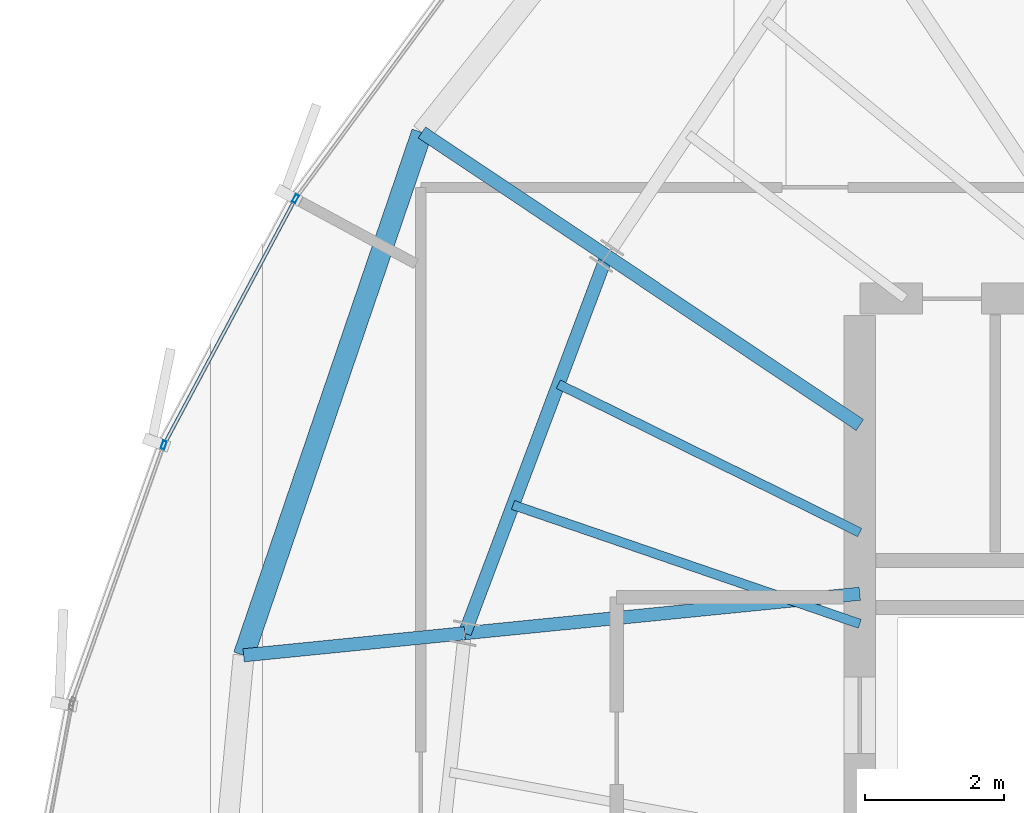
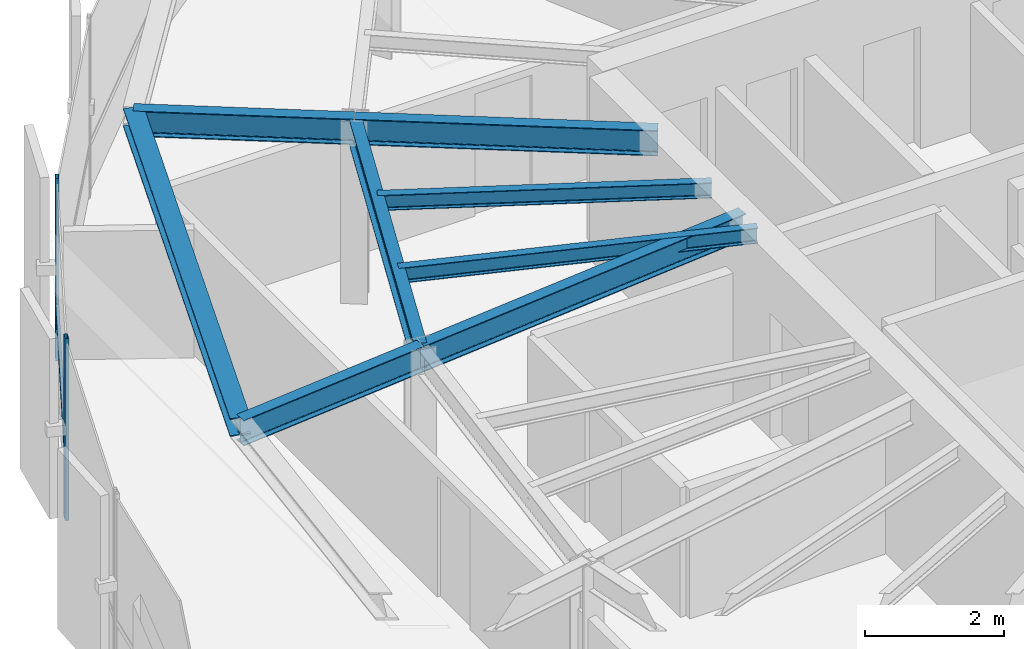
# One storey, part 11 of 33: 8 beams, 3 members, 1 element without a shape of its own.
"""IFC4 building model written with IfcOpenShell, lengths in metres."""

from ifc_helpers import new_model, si_unit, direction, frame, origin, origin_2d, place, context, subcontext, project, spatial, hollow_rectangle, i_section, extrude, source, transform, mapped, material, layer, layer_set, material_profile, profile_set, type_object, element, aggregate, save


model = new_model("IFC4")

# Units and contexts
model_context = context("Model", 3, precision=1e-05, world=origin(), true_north=direction((0.0, 1.0)))
body_context = subcontext(model_context, "Body", "Model", "MODEL_VIEW")
ifc_project = project(units=[si_unit("LENGTHUNIT", "METRE"), si_unit("AREAUNIT", "SQUARE_METRE"), si_unit("VOLUMEUNIT", "CUBIC_METRE"), si_unit("PLANEANGLEUNIT", "RADIAN"), si_unit("MASSUNIT", "GRAM", prefix="KILO"), si_unit("THERMODYNAMICTEMPERATUREUNIT", "KELVIN")], contexts=[model_context])

# Site, building, storey
site_placement = place(None, origin())
site = spatial("IfcSite", under=ifc_project, at=site_placement, CompositionType="ELEMENT")
building_placement = place(site_placement, origin())
building = spatial("IfcBuilding", under=site, at=building_placement, Name="Kethvar Cultural Tower", CompositionType="ELEMENT")
storey_placement = place(building_placement, frame((0.0, 0.0, 235.300048828125)))
storey = spatial("IfcBuildingStorey", under=building, at=storey_placement, Name="L61", CompositionType="ELEMENT", Elevation=235.300048828125)

# Beams
ifc_material_1 = material(Name="Steel S355J2", Category="steel")
ifc_material_profile_1 = material_profile(ifc_material_1, i_section(OverallWidth=0.18994140625, OverallDepth=0.449951171875, WebThickness=0.009521484375, FlangeThickness=0.0146484375, FilletRadius=0.02099609375, at=origin_2d()), Name="Steel S355J2 — IPE450")
ifc_profile_set_1 = profile_set([ifc_material_profile_1], Name="Steel S355J2 — IPE450")
beam_type_1 = type_object("IfcBeamType", Name="BM-IPE450", PredefinedType="BEAM", material=ifc_profile_set_1)
shared_shape_1 = source(origin(), body_context, "Body", "SweptSolid", [
    extrude(i_section(OverallWidth=0.18994140625, OverallDepth=0.449951171875, WebThickness=0.009521484375, FlangeThickness=0.0146484375, FilletRadius=0.02099609375, at=origin_2d()), origin(), (0.0, 0.0, 1.0), 3.2001953125),
])
beam_1_placement = place(storey_placement, frame((32.3125, 30.681884765625, 2.98291015625), z_axis=(-0.995047004836, -0.099405523829, 0.0), x_axis=(0.099405523829, -0.995047004836, 0.0)))
element("IfcBeam", 1, at=beam_1_placement, inside=storey, type_object=beam_type_1, Name="L61 Perimeter Cantilever Beam RC-08", PredefinedType="BEAM", context=body_context, shape_type="MappedRepresentation", body=[
    mapped(shared_shape_1, transform((0.0, 0.0, 0.0), scale=1.0)),
])
shared_shape_2 = source(origin(), body_context, "Body", "SweptSolid", [
    extrude(i_section(OverallWidth=0.18994140625, OverallDepth=0.449951171875, WebThickness=0.009521484375, FlangeThickness=0.0146484375, FilletRadius=0.02099609375, at=origin_2d()), origin(), (0.0, 0.0, 1.0), 4.3828125),
])
beam_2_placement = place(storey_placement, frame((38.0, 33.679931640625, 2.98291015625), z_axis=(-0.831449909861, 0.555599718676, 0.0), x_axis=(-0.555599718676, -0.831449909861, 0.0)))
element("IfcBeam", 2, at=beam_2_placement, inside=storey, type_object=beam_type_1, Name="L61 Primary Radial Beam RB-07", PredefinedType="BEAM", context=body_context, shape_type="MappedRepresentation", body=[
    mapped(shared_shape_2, transform((0.0, 0.0, 0.0), scale=1.0)),
])
shared_shape_3 = source(origin(), body_context, "Body", "SweptSolid", [
    extrude(i_section(OverallWidth=0.18994140625, OverallDepth=0.449951171875, WebThickness=0.009521484375, FlangeThickness=0.0146484375, FilletRadius=0.02099609375, at=origin_2d()), origin(), (0.0, 0.0, 1.0), 3.19970703125),
])
beam_3_placement = place(storey_placement, frame((34.35595703125, 36.114990234375, 2.98291015625), z_axis=(-0.831498187863, 0.55552746429, 0.0), x_axis=(-0.55552746429, -0.831498187863, 0.0)))
element("IfcBeam", 3, at=beam_3_placement, inside=storey, type_object=beam_type_1, Name="L61 Perimeter Cantilever Beam RC-07", PredefinedType="BEAM", context=body_context, shape_type="MappedRepresentation", body=[
    mapped(shared_shape_3, transform((0.0, 0.0, 0.0), scale=1.0)),
])
shared_shape_4 = source(origin(), body_context, "Body", "SweptSolid", [
    extrude(i_section(OverallWidth=0.18994140625, OverallDepth=0.449951171875, WebThickness=0.009521484375, FlangeThickness=0.0146484375, FilletRadius=0.02099609375, at=origin_2d()), origin(), (0.0, 0.0, 1.0), 5.7158203125),
])
beam_4_placement = place(storey_placement, frame((38.0, 31.25, 2.98291015625), z_axis=(-0.995048179628, -0.099393763478, 0.0), x_axis=(0.099393763478, -0.995048179628, 0.0)))
element("IfcBeam", 4, at=beam_4_placement, inside=storey, type_object=beam_type_1, Name="L61 Primary Radial Beam RB-08", PredefinedType="BEAM", context=body_context, shape_type="MappedRepresentation", body=[
    mapped(shared_shape_4, transform((0.0, 0.0, 0.0), scale=1.0)),
])
shared_shape_5 = source(origin(), body_context, "Body", "SweptSolid", [
    extrude(i_section(OverallWidth=0.18994140625, OverallDepth=0.449951171875, WebThickness=0.009521484375, FlangeThickness=0.0146484375, FilletRadius=0.02099609375, at=origin_2d()), origin(), (0.0, 0.0, 1.0), 5.8046875),
])
beam_5_placement = place(storey_placement, frame((34.35595703125, 36.114990234375, 2.98291015625), z_axis=(-0.352035902861, -0.935986497283, 0.0), x_axis=(0.935986497283, -0.352035902861, 0.0)))
element("IfcBeam", 5, at=beam_5_placement, inside=storey, type_object=beam_type_1, Name="L61 Column Ring Tie Beam CR-07", PredefinedType="BEAM", context=body_context, shape_type="MappedRepresentation", body=[
    mapped(shared_shape_5, transform((0.0, 0.0, 0.0), scale=1.0)),
])
ifc_material_profile_2 = material_profile(ifc_material_1, i_section(OverallWidth=0.300048828125, OverallDepth=0.320068359375, WebThickness=0.011474609375, FlangeThickness=0.0205078125, FilletRadius=0.027099609375, at=origin_2d()), Name="Steel S355J2 — HEB320")
ifc_profile_set_2 = profile_set([ifc_material_profile_2], Name="Steel S355J2 — HEB320")
beam_type_2 = type_object("IfcBeamType", Name="BM-SP320", PredefinedType="SPANDREL", material=ifc_profile_set_2)
shared_shape_6 = source(origin(), body_context, "Body", "SweptSolid", [
    extrude(i_section(OverallWidth=0.300048828125, OverallDepth=0.320068359375, WebThickness=0.011474609375, FlangeThickness=0.0205078125, FilletRadius=0.027099609375, at=origin_2d()), origin(), (0.0, 0.0, 1.0), 7.954345703125),
])
beam_6_placement = place(storey_placement, frame((31.6953125, 37.892578125, 3.0478515625), z_axis=(-0.322730170507, -0.946491012659, 0.0), x_axis=(0.946491012659, -0.322730170507, 0.0)))
element("IfcBeam", 6, at=beam_6_placement, inside=storey, type_object=beam_type_2, Name="L61 Perimeter Spandrel Beam SP-07", PredefinedType="SPANDREL", context=body_context, shape_type="MappedRepresentation", body=[
    mapped(shared_shape_6, transform((0.0, 0.0, 0.0), scale=1.0)),
])
ifc_material_profile_3 = material_profile(ifc_material_1, i_section(OverallWidth=0.135009765625, OverallDepth=0.27001953125, WebThickness=0.006591796875, FlangeThickness=0.01025390625, FilletRadius=0.014892578125, at=origin_2d()), Name="Steel S355J2 — IPE270")
ifc_profile_set_3 = profile_set([ifc_material_profile_3], Name="Steel S355J2 — IPE270")
beam_type_3 = type_object("IfcBeamType", Name="BM-J270", PredefinedType="JOIST", material=ifc_profile_set_3)
shared_shape_7 = source(origin(), body_context, "Body", "SweptSolid", [
    extrude(i_section(OverallWidth=0.135009765625, OverallDepth=0.27001953125, WebThickness=0.006591796875, FlangeThickness=0.01025390625, FilletRadius=0.014892578125, at=origin_2d()), origin(), (0.0, 0.0, 1.0), 4.8359375),
])
beam_7_placement = place(storey_placement, frame((38.0, 32.1318359375, 3.072998046875), z_axis=(-0.897196527088, 0.441631511308, 0.0), x_axis=(-0.441631511308, -0.897196527088, 0.0)))
element("IfcBeam", 7, at=beam_7_placement, inside=storey, type_object=beam_type_3, Name="L61 Composite Floor Joist J-07A", PredefinedType="JOIST", context=body_context, shape_type="MappedRepresentation", body=[
    mapped(shared_shape_7, transform((0.0, 0.0, 0.0), scale=1.0)),
])
shared_shape_8 = source(origin(), body_context, "Body", "SweptSolid", [
    extrude(i_section(OverallWidth=0.135009765625, OverallDepth=0.27001953125, WebThickness=0.006591796875, FlangeThickness=0.01025390625, FilletRadius=0.014892578125, at=origin_2d()), origin(), (0.0, 0.0, 1.0), 5.2783203125),
])
beam_8_placement = place(storey_placement, frame((38.0, 30.817138671875, 3.072998046875), z_axis=(-0.945942702368, 0.324333784607, 0.0), x_axis=(-0.324333784607, -0.945942702368, 0.0)))
element("IfcBeam", 8, at=beam_8_placement, inside=storey, type_object=beam_type_3, Name="L61 Composite Floor Joist J-07B", PredefinedType="JOIST", context=body_context, shape_type="MappedRepresentation", body=[
    mapped(shared_shape_8, transform((0.0, 0.0, 0.0), scale=1.0)),
])

# Curtain wall, members
ifc_material_2 = material(Name="Aluminium 6063-T6", Category="aluminium")
ifc_layer = layer(ifc_material_2, 0.179931640625, Name="Aluminium 6063-T6", Category="aluminium")
ifc_layer_set = layer_set([ifc_layer], Name="Aluminium 6063-T6 (180 mm)")
curtain_wall_type = type_object("IfcCurtainWallType", Name="CW-SYS-05-Z56", PredefinedType="NOTDEFINED", material=ifc_layer_set)
curtain_wall_placement = place(storey_placement, origin())
curtain_wall = element("IfcCurtainWall", 9, at=curtain_wall_placement, inside=storey, type_object=curtain_wall_type, Name="L61 Curtain Wall Run 02", PredefinedType="NOTDEFINED")
ifc_material_profile_4 = material_profile(ifc_material_2, hollow_rectangle(XDim=0.054931640625, YDim=0.1201171875, WallThickness=0.00390625, at=origin_2d()), Name="Aluminium 6063-T6 — RHS120x55x4")
ifc_profile_set_4 = profile_set([ifc_material_profile_4], Name="Aluminium 6063-T6 — RHS120x55x4")
member_type_1 = type_object("IfcMemberType", Name="CW-SYS-05-Z56-MUL", PredefinedType="MULLION", material=ifc_profile_set_4)
shared_shape_9 = source(origin(), body_context, "Body", "SweptSolid", [
    extrude(hollow_rectangle(XDim=0.054931640625, YDim=0.1201171875, WallThickness=0.00390625, at=origin_2d()), origin(), (0.0, 0.0, 1.0), 3.2099609375),
])
member_1_placement = place(storey_placement, frame((29.87353515625, 36.937744140625, 0.0), z_axis=(0.0, 0.0, 1.0), x_axis=(0.882028198173, -0.471196623106, 0.0)))
member_1 = element("IfcMember", 10, at=member_1_placement, type_object=member_type_1, Name="CW-L61-R02 Mullion 5", PredefinedType="MULLION", context=body_context, shape_type="MappedRepresentation", body=[
    mapped(shared_shape_9, transform((0.0, 0.0, 0.0), scale=1.0)),
])
member_2_placement = place(storey_placement, frame((27.977783203125, 33.39111328125, 0.0), z_axis=(0.0, 0.0, 1.0), x_axis=(0.942174490079, -0.335122709234, 0.0)))
member_2 = element("IfcMember", 11, at=member_2_placement, type_object=member_type_1, Name="CW-L61-R02 Mullion 6", PredefinedType="MULLION", context=body_context, shape_type="MappedRepresentation", body=[
    mapped(shared_shape_9, transform((0.0, 0.0, 0.0), scale=1.0)),
])
ifc_material_profile_5 = material_profile(ifc_material_2, hollow_rectangle(XDim=0.050048828125, YDim=0.10009765625, WallThickness=0.00390625, at=origin_2d()), Name="Aluminium 6063-T6 — RHS100x50x4")
ifc_profile_set_5 = profile_set([ifc_material_profile_5], Name="Aluminium 6063-T6 — RHS100x50x4")
member_type_2 = type_object("IfcMemberType", Name="CW-SYS-05-Z56-TRN", PredefinedType="USERDEFINED", material=ifc_profile_set_5)
shared_shape_10 = source(origin(), body_context, "Body", "SweptSolid", [
    extrude(hollow_rectangle(XDim=0.050048828125, YDim=0.10009765625, WallThickness=0.00390625, at=origin_2d()), origin(), (0.0, 0.0, 1.0), 3.957275390625),
])
member_3_placement = place(storey_placement, frame((29.85498046875, 36.90283203125, 0.949951171875), z_axis=(-0.471161318982, -0.882047057416, 0.0), x_axis=(0.882047057416, -0.471161318982, 0.0)))
member_3 = element("IfcMember", 12, at=member_3_placement, type_object=member_type_2, Name="CW-L61-R02 Transom 5", ObjectType="TRANSOM", PredefinedType="USERDEFINED", context=body_context, shape_type="MappedRepresentation", body=[
    mapped(shared_shape_10, transform((0.0, 0.0, 0.0), scale=1.0)),
])
aggregate(curtain_wall, [member_1, member_2, member_3])

save(model, "model.ifc")
